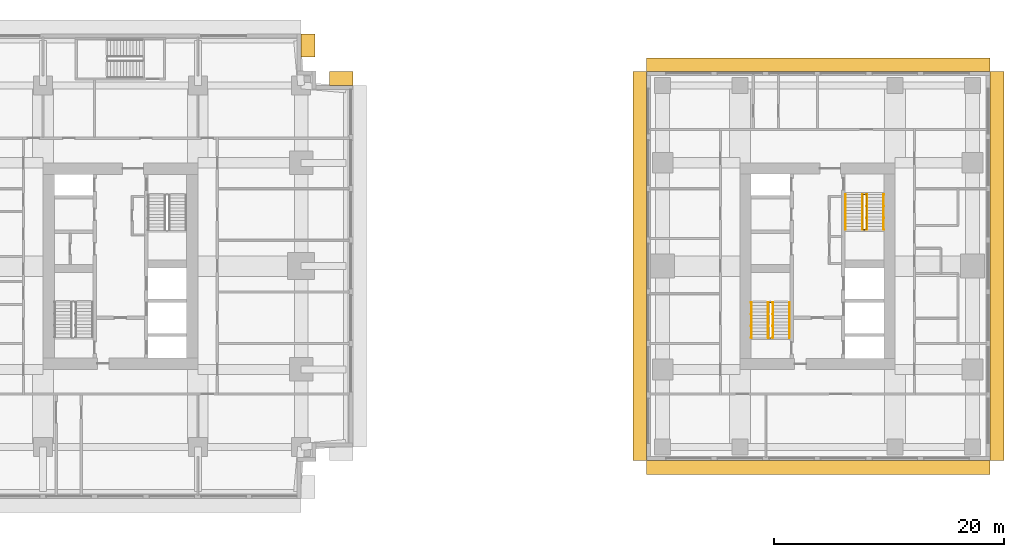
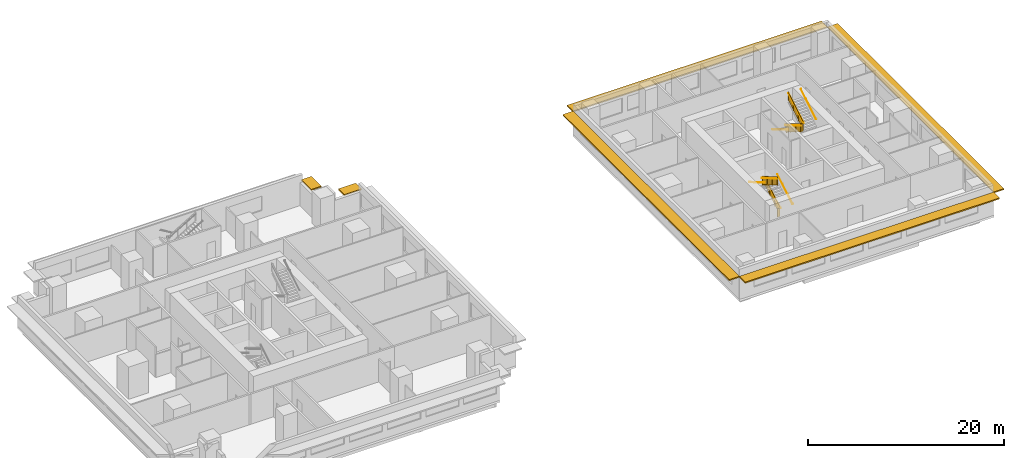
# One storey, part 11 of 11: 10 railings, 6 shading devices.
"""IFC4 building model written with IfcOpenShell, lengths in metres."""

from ifc_helpers import new_model, si_unit, direction, frame, origin, origin_2d, place, context, subcontext, project, spatial, polyline, rectangle, circle, outline, extrude, material, layer, layer_set, type_object, element, save


model = new_model("IFC4")

# Units and contexts
model_context = context("Model", 3, precision=1e-05, world=origin(), true_north=direction((0.0, 1.0)))
body_context = subcontext(model_context, "Body", "Model", "MODEL_VIEW")
ifc_project = project(units=[si_unit("LENGTHUNIT", "METRE"), si_unit("AREAUNIT", "SQUARE_METRE"), si_unit("VOLUMEUNIT", "CUBIC_METRE"), si_unit("PLANEANGLEUNIT", "RADIAN"), si_unit("MASSUNIT", "GRAM", prefix="KILO")], contexts=[model_context])

# Site, building, storey
site_placement = place(None, origin())
site = spatial("IfcSite", under=ifc_project, at=site_placement, CompositionType="ELEMENT")
building_placement = place(site_placement, origin())
building = spatial("IfcBuilding", under=site, at=building_placement, Name="Namib Vertical Campus", CompositionType="ELEMENT")
storey_placement = place(building_placement, frame((0.0, 0.0, 185.0)))
storey = spatial("IfcBuildingStorey", under=building, at=storey_placement, Name="L43", CompositionType="ELEMENT", Elevation=185.0)

# Railings
ifc_material_1 = material(Name="Steel handrail", Category="steel")
railing_type_1 = type_object("IfcRailingType", Name="Handrail 900", PredefinedType="HANDRAIL", material=ifc_material_1)
railing_1_placement = place(storey_placement, frame((78.550048828125, 14.0, 0.166748046875)))
element("IfcRailing", 1, at=railing_1_placement, inside=storey, type_object=railing_type_1, Name="Handrail HR1 B-S1 L43 1", PredefinedType="HANDRAIL", context=body_context, shape_type="SweptSolid", body=[
    extrude(circle(Radius=0.02392578125, at=origin_2d()), frame((0.0, 0.0, 0.8759765625), z_axis=(0.0, 0.859308565015, 0.511457515432), x_axis=(-1.0, 0.0, 0.0)), (0.0, 0.0, 1.0), 3.58447265625),
    extrude(circle(Radius=0.008056640625, at=origin_2d()), frame((0.0, 0.0, 0.8759765625), z_axis=(1.0, 0.0, 0.0), x_axis=(0.0, 0.0, 1.0)), (0.0, 0.0, 1.0), 0.050048828125),
    extrude(circle(Radius=0.008056640625, at=origin_2d()), frame((0.0, 1.026611328125, 1.48681640625), z_axis=(1.0, 0.0, 0.0), x_axis=(0.0, 0.0, 1.0)), (0.0, 0.0, 1.0), 0.050048828125),
    extrude(circle(Radius=0.008056640625, at=origin_2d()), frame((0.0, 2.053466796875, 2.09814453125), z_axis=(1.0, 0.0, 0.0), x_axis=(0.0, 0.0, 1.0)), (0.0, 0.0, 1.0), 0.050048828125),
    extrude(circle(Radius=0.008056640625, at=origin_2d()), frame((0.0, 3.080078125, 2.708984375), z_axis=(1.0, 0.0, 0.0), x_axis=(0.0, 0.0, 1.0)), (0.0, 0.0, 1.0), 0.050048828125),
])
railing_2_placement = place(storey_placement, frame((75.25, 17.080078125, 2.166748046875)))
element("IfcRailing", 2, at=railing_2_placement, inside=storey, type_object=railing_type_1, Name="Handrail HR1 B-S1 L43 2", PredefinedType="HANDRAIL", context=body_context, shape_type="SweptSolid", body=[
    extrude(circle(Radius=0.02392578125, at=origin_2d()), frame((0.0, 0.0, 0.8759765625), z_axis=(0.0, -0.859308565015, 0.511457515432), x_axis=(1.0, 0.0, 0.0)), (0.0, 0.0, 1.0), 3.58447265625),
    extrude(circle(Radius=0.008056640625, at=origin_2d()), frame((0.0, 0.0, 0.8759765625), z_axis=(-1.0, 0.0, 0.0), x_axis=(0.0, 0.0, 1.0)), (0.0, 0.0, 1.0), 0.050048828125),
    extrude(circle(Radius=0.008056640625, at=origin_2d()), frame((0.0, -1.026611328125, 1.48681640625), z_axis=(-1.0, 0.0, 0.0), x_axis=(0.0, 0.0, 1.0)), (0.0, 0.0, 1.0), 0.050048828125),
    extrude(circle(Radius=0.008056640625, at=origin_2d()), frame((0.0, -2.053466796875, 2.09814453125), z_axis=(-1.0, 0.0, 0.0), x_axis=(0.0, 0.0, 1.0)), (0.0, 0.0, 1.0), 0.050048828125),
    extrude(circle(Radius=0.008056640625, at=origin_2d()), frame((0.0, -3.080078125, 2.708984375), z_axis=(-1.0, 0.0, 0.0), x_axis=(0.0, 0.0, 1.0)), (0.0, 0.0, 1.0), 0.050048828125),
])
railing_3_placement = place(storey_placement, frame((77.10009765625, 14.0, 0.166748046875)))
element("IfcRailing", 3, at=railing_3_placement, inside=storey, type_object=railing_type_1, Name="Handrail HR1 B-S1 L43 1 at the well", PredefinedType="HANDRAIL", context=body_context, shape_type="SweptSolid", body=[
    extrude(circle(Radius=0.02392578125, at=origin_2d()), frame((0.0, 0.0, 0.8759765625), z_axis=(0.0, 0.859308565015, 0.511457515432), x_axis=(-1.0, 0.0, 0.0)), (0.0, 0.0, 1.0), 3.58447265625),
    extrude(circle(Radius=0.008056640625, at=origin_2d()), frame((0.0, 0.0, 0.8759765625), z_axis=(-1.0, 0.0, 0.0), x_axis=(0.0, 0.0, 1.0)), (0.0, 0.0, 1.0), 0.0400390625),
    extrude(circle(Radius=0.008056640625, at=origin_2d()), frame((0.0, 1.026611328125, 1.48681640625), z_axis=(-1.0, 0.0, 0.0), x_axis=(0.0, 0.0, 1.0)), (0.0, 0.0, 1.0), 0.0400390625),
    extrude(circle(Radius=0.008056640625, at=origin_2d()), frame((0.0, 2.053466796875, 2.09814453125), z_axis=(-1.0, 0.0, 0.0), x_axis=(0.0, 0.0, 1.0)), (0.0, 0.0, 1.0), 0.0400390625),
    extrude(circle(Radius=0.008056640625, at=origin_2d()), frame((0.0, 3.080078125, 2.708984375), z_axis=(-1.0, 0.0, 0.0), x_axis=(0.0, 0.0, 1.0)), (0.0, 0.0, 1.0), 0.0400390625),
])
railing_4_placement = place(storey_placement, frame((76.699951171875, 17.080078125, 2.166748046875)))
element("IfcRailing", 4, at=railing_4_placement, inside=storey, type_object=railing_type_1, Name="Handrail HR1 B-S1 L43 2 at the well", PredefinedType="HANDRAIL", context=body_context, shape_type="SweptSolid", body=[
    extrude(circle(Radius=0.02392578125, at=origin_2d()), frame((0.0, 0.0, 0.8759765625), z_axis=(0.0, -0.859308565015, 0.511457515432), x_axis=(1.0, 0.0, 0.0)), (0.0, 0.0, 1.0), 3.58447265625),
    extrude(circle(Radius=0.008056640625, at=origin_2d()), frame((0.0, 0.0, 0.8759765625), z_axis=(1.0, 0.0, 0.0), x_axis=(0.0, 0.0, 1.0)), (0.0, 0.0, 1.0), 0.0400390625),
    extrude(circle(Radius=0.008056640625, at=origin_2d()), frame((0.0, -1.026611328125, 1.48681640625), z_axis=(1.0, 0.0, 0.0), x_axis=(0.0, 0.0, 1.0)), (0.0, 0.0, 1.0), 0.0400390625),
    extrude(circle(Radius=0.008056640625, at=origin_2d()), frame((0.0, -2.053466796875, 2.09814453125), z_axis=(1.0, 0.0, 0.0), x_axis=(0.0, 0.0, 1.0)), (0.0, 0.0, 1.0), 0.0400390625),
    extrude(circle(Radius=0.008056640625, at=origin_2d()), frame((0.0, -3.080078125, 2.708984375), z_axis=(1.0, 0.0, 0.0), x_axis=(0.0, 0.0, 1.0)), (0.0, 0.0, 1.0), 0.0400390625),
])
railing_5_placement = place(storey_placement, frame((83.449951171875, 26.5, 0.166748046875)))
element("IfcRailing", 5, at=railing_5_placement, inside=storey, type_object=railing_type_1, Name="Handrail HR1 B-S2 L43 1", PredefinedType="HANDRAIL", context=body_context, shape_type="SweptSolid", body=[
    extrude(circle(Radius=0.02392578125, at=origin_2d()), frame((0.0, 0.0, 0.8759765625), z_axis=(0.0, -0.859308565015, 0.511457515432), x_axis=(1.0, 0.0, 0.0)), (0.0, 0.0, 1.0), 3.58447265625),
    extrude(circle(Radius=0.008056640625, at=origin_2d()), frame((0.0, 0.0, 0.8759765625), z_axis=(-1.0, 0.0, 0.0), x_axis=(0.0, 0.0, 1.0)), (0.0, 0.0, 1.0), 0.050048828125),
    extrude(circle(Radius=0.008056640625, at=origin_2d()), frame((0.0, -1.026611328125, 1.48681640625), z_axis=(-1.0, 0.0, 0.0), x_axis=(0.0, 0.0, 1.0)), (0.0, 0.0, 1.0), 0.050048828125),
    extrude(circle(Radius=0.008056640625, at=origin_2d()), frame((0.0, -2.053466796875, 2.09814453125), z_axis=(-1.0, 0.0, 0.0), x_axis=(0.0, 0.0, 1.0)), (0.0, 0.0, 1.0), 0.050048828125),
    extrude(circle(Radius=0.008056640625, at=origin_2d()), frame((0.0, -3.080078125, 2.708984375), z_axis=(-1.0, 0.0, 0.0), x_axis=(0.0, 0.0, 1.0)), (0.0, 0.0, 1.0), 0.050048828125),
])
railing_6_placement = place(storey_placement, frame((86.75, 23.419921875, 2.166748046875)))
element("IfcRailing", 6, at=railing_6_placement, inside=storey, type_object=railing_type_1, Name="Handrail HR1 B-S2 L43 2", PredefinedType="HANDRAIL", context=body_context, shape_type="SweptSolid", body=[
    extrude(circle(Radius=0.02392578125, at=origin_2d()), frame((0.0, 0.0, 0.8759765625), z_axis=(0.0, 0.859308565015, 0.511457515432), x_axis=(-1.0, 0.0, 0.0)), (0.0, 0.0, 1.0), 3.58447265625),
    extrude(circle(Radius=0.008056640625, at=origin_2d()), frame((0.0, 0.0, 0.8759765625), z_axis=(1.0, 0.0, 0.0), x_axis=(0.0, 0.0, 1.0)), (0.0, 0.0, 1.0), 0.050048828125),
    extrude(circle(Radius=0.008056640625, at=origin_2d()), frame((0.0, 1.026611328125, 1.48681640625), z_axis=(1.0, 0.0, 0.0), x_axis=(0.0, 0.0, 1.0)), (0.0, 0.0, 1.0), 0.050048828125),
    extrude(circle(Radius=0.008056640625, at=origin_2d()), frame((0.0, 2.053466796875, 2.09814453125), z_axis=(1.0, 0.0, 0.0), x_axis=(0.0, 0.0, 1.0)), (0.0, 0.0, 1.0), 0.050048828125),
    extrude(circle(Radius=0.008056640625, at=origin_2d()), frame((0.0, 3.080078125, 2.708984375), z_axis=(1.0, 0.0, 0.0), x_axis=(0.0, 0.0, 1.0)), (0.0, 0.0, 1.0), 0.050048828125),
])
railing_7_placement = place(storey_placement, frame((84.89990234375, 26.5, 0.166748046875)))
element("IfcRailing", 7, at=railing_7_placement, inside=storey, type_object=railing_type_1, Name="Handrail HR1 B-S2 L43 1 at the well", PredefinedType="HANDRAIL", context=body_context, shape_type="SweptSolid", body=[
    extrude(circle(Radius=0.02392578125, at=origin_2d()), frame((0.0, 0.0, 0.8759765625), z_axis=(0.0, -0.859308565015, 0.511457515432), x_axis=(1.0, 0.0, 0.0)), (0.0, 0.0, 1.0), 3.58447265625),
    extrude(circle(Radius=0.008056640625, at=origin_2d()), frame((0.0, 0.0, 0.8759765625), z_axis=(1.0, 0.0, 0.0), x_axis=(0.0, 0.0, 1.0)), (0.0, 0.0, 1.0), 0.0400390625),
    extrude(circle(Radius=0.008056640625, at=origin_2d()), frame((0.0, -1.026611328125, 1.48681640625), z_axis=(1.0, 0.0, 0.0), x_axis=(0.0, 0.0, 1.0)), (0.0, 0.0, 1.0), 0.0400390625),
    extrude(circle(Radius=0.008056640625, at=origin_2d()), frame((0.0, -2.053466796875, 2.09814453125), z_axis=(1.0, 0.0, 0.0), x_axis=(0.0, 0.0, 1.0)), (0.0, 0.0, 1.0), 0.0400390625),
    extrude(circle(Radius=0.008056640625, at=origin_2d()), frame((0.0, -3.080078125, 2.708984375), z_axis=(1.0, 0.0, 0.0), x_axis=(0.0, 0.0, 1.0)), (0.0, 0.0, 1.0), 0.0400390625),
])
railing_8_placement = place(storey_placement, frame((85.300048828125, 23.419921875, 2.166748046875)))
element("IfcRailing", 8, at=railing_8_placement, inside=storey, type_object=railing_type_1, Name="Handrail HR1 B-S2 L43 2 at the well", PredefinedType="HANDRAIL", context=body_context, shape_type="SweptSolid", body=[
    extrude(circle(Radius=0.02392578125, at=origin_2d()), frame((0.0, 0.0, 0.8759765625), z_axis=(0.0, 0.859308565015, 0.511457515432), x_axis=(-1.0, 0.0, 0.0)), (0.0, 0.0, 1.0), 3.58447265625),
    extrude(circle(Radius=0.008056640625, at=origin_2d()), frame((0.0, 0.0, 0.8759765625), z_axis=(-1.0, 0.0, 0.0), x_axis=(0.0, 0.0, 1.0)), (0.0, 0.0, 1.0), 0.0400390625),
    extrude(circle(Radius=0.008056640625, at=origin_2d()), frame((0.0, 1.026611328125, 1.48681640625), z_axis=(-1.0, 0.0, 0.0), x_axis=(0.0, 0.0, 1.0)), (0.0, 0.0, 1.0), 0.0400390625),
    extrude(circle(Radius=0.008056640625, at=origin_2d()), frame((0.0, 2.053466796875, 2.09814453125), z_axis=(-1.0, 0.0, 0.0), x_axis=(0.0, 0.0, 1.0)), (0.0, 0.0, 1.0), 0.0400390625),
    extrude(circle(Radius=0.008056640625, at=origin_2d()), frame((0.0, 3.080078125, 2.708984375), z_axis=(-1.0, 0.0, 0.0), x_axis=(0.0, 0.0, 1.0)), (0.0, 0.0, 1.0), 0.0400390625),
])
ifc_material_2 = material(Name="Steel balustrade", Category="steel")
railing_type_2 = type_object("IfcRailingType", Name="Stair guard 1100", PredefinedType="GUARDRAIL", material=ifc_material_2)
railing_9_placement = place(storey_placement, frame((76.75, 14.0, 0.0)))
element("IfcRailing", 9, at=railing_9_placement, inside=storey, type_object=railing_type_2, Name="Stair guard GR1 B-S1 L43", PredefinedType="GUARDRAIL", context=body_context, shape_type="SweptSolid", body=[
    extrude(circle(Radius=0.02392578125, at=origin_2d()), frame((0.0, 0.0, 1.076171875), z_axis=(1.0, 0.0, 0.0), x_axis=(0.0, 1.0, 0.0)), (0.0, 0.0, 1.0), 0.300048828125),
    extrude(outline(polyline([(0.02099609375, 0.050048828125), (0.279052734375, 0.050048828125), (0.279052734375, 1.052001953125), (0.02099609375, 1.052001953125), (0.02099609375, 0.050048828125)])), frame((0.0, 0.010009765625, 0.0), z_axis=(0.0, -1.0, 0.0), x_axis=(1.0, 0.0, 0.0)), (0.0, 0.0, 1.0), 0.02001953125),
    extrude(circle(Radius=0.02392578125, at=origin_2d()), frame((0.300048828125, 0.0, 1.076171875), z_axis=(0.0, 0.0, 1.0), x_axis=(1.0, 0.0, 0.0)), (0.0, 0.0, 1.0), 0.166748046875),
    extrude(circle(Radius=0.02392578125, at=origin_2d()), frame((0.300048828125, 0.0, 1.24267578125), z_axis=(0.0, 0.859308565015, 0.511457515432), x_axis=(-1.0, 0.0, 0.0)), (0.0, 0.0, 1.0), 3.58447265625),
    extrude(outline(polyline([(0.02099609375, 0.0625), (3.05908203125, 1.870849609375), (3.05908203125, 2.872802734375), (0.02099609375, 1.064453125), (0.02099609375, 0.0625)])), frame((0.2900390625, 0.0, 0.166748046875), z_axis=(1.0, 0.0, 0.0), x_axis=(0.0, 1.0, 0.0)), (0.0, 0.0, 1.0), 0.02001953125),
    extrude(circle(Radius=0.02392578125, at=origin_2d()), frame((0.300048828125, 3.080078125, 3.076171875), z_axis=(-1.0, 0.0, 0.0), x_axis=(0.0, -1.0, 0.0)), (0.0, 0.0, 1.0), 0.300048828125),
    extrude(outline(polyline([(0.02099609375, 0.050048828125), (0.279052734375, 0.050048828125), (0.279052734375, 1.052001953125), (0.02099609375, 1.052001953125), (0.02099609375, 0.050048828125)])), frame((0.300048828125, 3.070068359375, 2.0), z_axis=(0.0, 1.0, 0.0), x_axis=(-1.0, 0.0, 0.0)), (0.0, 0.0, 1.0), 0.02001953125),
    extrude(circle(Radius=0.02392578125, at=origin_2d()), frame((0.0, 3.080078125, 3.076171875), z_axis=(0.0, 0.0, 1.0), x_axis=(1.0, 0.0, 0.0)), (0.0, 0.0, 1.0), 0.166748046875),
    extrude(circle(Radius=0.02392578125, at=origin_2d()), frame((0.0, 3.080078125, 3.24267578125), z_axis=(0.0, -0.859308565015, 0.511457515432), x_axis=(1.0, 0.0, 0.0)), (0.0, 0.0, 1.0), 3.58447265625),
    extrude(outline(polyline([(0.02099609375, 0.0625), (3.05908203125, 1.870849609375), (3.05908203125, 2.872802734375), (0.02099609375, 1.064453125), (0.02099609375, 0.0625)])), frame((0.010009765625, 3.080078125, 2.166748046875), z_axis=(-1.0, 0.0, 0.0), x_axis=(0.0, -1.0, 0.0)), (0.0, 0.0, 1.0), 0.02001953125),
    extrude(circle(Radius=0.02392578125, at=origin_2d()), frame((0.0, 0.0, 5.076171875), z_axis=(0.0, -1.0, 0.0), x_axis=(1.0, 0.0, 0.0)), (0.0, 0.0, 1.0), 0.050048828125),
    extrude(outline(polyline([(0.02099609375, 0.050048828125), (0.029052734375, 0.050048828125), (0.029052734375, 1.052001953125), (0.02099609375, 1.052001953125), (0.02099609375, 0.050048828125)])), frame((0.010009765625, 0.0, 4.0), z_axis=(-1.0, 0.0, 0.0), x_axis=(0.0, -1.0, 0.0)), (0.0, 0.0, 1.0), 0.02001953125),
    extrude(circle(Radius=0.02099609375, at=origin_2d()), origin(), (0.0, 0.0, 1.0), 1.052001953125),
    extrude(circle(Radius=0.02099609375, at=origin_2d()), frame((0.300048828125, 0.0, 0.166748046875)), (0.0, 0.0, 1.0), 1.052001953125),
    extrude(circle(Radius=0.02099609375, at=origin_2d()), frame((0.300048828125, 1.026611328125, 0.666748046875)), (0.0, 0.0, 1.0), 1.1630859375),
    extrude(circle(Radius=0.02099609375, at=origin_2d()), frame((0.300048828125, 2.053466796875, 1.33349609375)), (0.0, 0.0, 1.0), 1.107421875),
    extrude(circle(Radius=0.02099609375, at=origin_2d()), frame((0.300048828125, 3.080078125, 2.0)), (0.0, 0.0, 1.0), 1.052001953125),
    extrude(circle(Radius=0.02099609375, at=origin_2d()), frame((0.0, 3.080078125, 2.166748046875)), (0.0, 0.0, 1.0), 1.052001953125),
    extrude(circle(Radius=0.02099609375, at=origin_2d()), frame((0.0, 2.053466796875, 2.666748046875)), (0.0, 0.0, 1.0), 1.1630859375),
    extrude(circle(Radius=0.02099609375, at=origin_2d()), frame((0.0, 1.026611328125, 3.33349609375)), (0.0, 0.0, 1.0), 1.107421875),
    extrude(circle(Radius=0.02099609375, at=origin_2d()), frame((0.0, 0.0, 4.0)), (0.0, 0.0, 1.0), 1.052001953125),
    extrude(circle(Radius=0.02099609375, at=origin_2d()), frame((0.0, -0.050048828125, 4.0)), (0.0, 0.0, 1.0), 1.052001953125),
])
railing_10_placement = place(storey_placement, frame((85.25, 26.5, 0.0)))
element("IfcRailing", 10, at=railing_10_placement, inside=storey, type_object=railing_type_2, Name="Stair guard GR1 B-S2 L43", PredefinedType="GUARDRAIL", context=body_context, shape_type="SweptSolid", body=[
    extrude(circle(Radius=0.02392578125, at=origin_2d()), frame((0.0, 0.0, 1.076171875), z_axis=(-1.0, 0.0, 0.0), x_axis=(0.0, -1.0, 0.0)), (0.0, 0.0, 1.0), 0.300048828125),
    extrude(outline(polyline([(0.02099609375, 0.050048828125), (0.279052734375, 0.050048828125), (0.279052734375, 1.052001953125), (0.02099609375, 1.052001953125), (0.02099609375, 0.050048828125)])), frame((0.0, -0.010009765625, 0.0), z_axis=(0.0, 1.0, 0.0), x_axis=(-1.0, 0.0, 0.0)), (0.0, 0.0, 1.0), 0.02001953125),
    extrude(circle(Radius=0.02392578125, at=origin_2d()), frame((-0.300048828125, 0.0, 1.076171875), z_axis=(0.0, 0.0, 1.0), x_axis=(1.0, 0.0, 0.0)), (0.0, 0.0, 1.0), 0.166748046875),
    extrude(circle(Radius=0.02392578125, at=origin_2d()), frame((-0.300048828125, 0.0, 1.24267578125), z_axis=(0.0, -0.859308565015, 0.511457515432), x_axis=(1.0, 0.0, 0.0)), (0.0, 0.0, 1.0), 3.58447265625),
    extrude(outline(polyline([(0.02099609375, 0.0625), (3.05908203125, 1.870849609375), (3.05908203125, 2.872802734375), (0.02099609375, 1.064453125), (0.02099609375, 0.0625)])), frame((-0.2900390625, 0.0, 0.166748046875), z_axis=(-1.0, 0.0, 0.0), x_axis=(0.0, -1.0, 0.0)), (0.0, 0.0, 1.0), 0.02001953125),
    extrude(circle(Radius=0.02392578125, at=origin_2d()), frame((-0.300048828125, -3.080078125, 3.076171875), z_axis=(1.0, 0.0, 0.0), x_axis=(0.0, 1.0, 0.0)), (0.0, 0.0, 1.0), 0.300048828125),
    extrude(outline(polyline([(0.02099609375, 0.050048828125), (0.279052734375, 0.050048828125), (0.279052734375, 1.052001953125), (0.02099609375, 1.052001953125), (0.02099609375, 0.050048828125)])), frame((-0.300048828125, -3.070068359375, 2.0), z_axis=(0.0, -1.0, 0.0), x_axis=(1.0, 0.0, 0.0)), (0.0, 0.0, 1.0), 0.02001953125),
    extrude(circle(Radius=0.02392578125, at=origin_2d()), frame((0.0, -3.080078125, 3.076171875), z_axis=(0.0, 0.0, 1.0), x_axis=(1.0, 0.0, 0.0)), (0.0, 0.0, 1.0), 0.166748046875),
    extrude(circle(Radius=0.02392578125, at=origin_2d()), frame((0.0, -3.080078125, 3.24267578125), z_axis=(0.0, 0.859308565015, 0.511457515432), x_axis=(-1.0, 0.0, 0.0)), (0.0, 0.0, 1.0), 3.58447265625),
    extrude(outline(polyline([(0.02099609375, 0.0625), (3.05908203125, 1.870849609375), (3.05908203125, 2.872802734375), (0.02099609375, 1.064453125), (0.02099609375, 0.0625)])), frame((-0.010009765625, -3.080078125, 2.166748046875), z_axis=(1.0, 0.0, 0.0), x_axis=(0.0, 1.0, 0.0)), (0.0, 0.0, 1.0), 0.02001953125),
    extrude(circle(Radius=0.02392578125, at=origin_2d()), frame((0.0, 0.0, 5.076171875), z_axis=(0.0, 1.0, 0.0), x_axis=(-1.0, 0.0, 0.0)), (0.0, 0.0, 1.0), 0.050048828125),
    extrude(outline(polyline([(0.02099609375, 0.050048828125), (0.029052734375, 0.050048828125), (0.029052734375, 1.052001953125), (0.02099609375, 1.052001953125), (0.02099609375, 0.050048828125)])), frame((-0.010009765625, 0.0, 4.0), z_axis=(1.0, 0.0, 0.0), x_axis=(0.0, 1.0, 0.0)), (0.0, 0.0, 1.0), 0.02001953125),
    extrude(circle(Radius=0.02099609375, at=origin_2d()), origin(), (0.0, 0.0, 1.0), 1.052001953125),
    extrude(circle(Radius=0.02099609375, at=origin_2d()), frame((-0.300048828125, 0.0, 0.166748046875)), (0.0, 0.0, 1.0), 1.052001953125),
    extrude(circle(Radius=0.02099609375, at=origin_2d()), frame((-0.300048828125, -1.026611328125, 0.666748046875)), (0.0, 0.0, 1.0), 1.1630859375),
    extrude(circle(Radius=0.02099609375, at=origin_2d()), frame((-0.300048828125, -2.053466796875, 1.33349609375)), (0.0, 0.0, 1.0), 1.107421875),
    extrude(circle(Radius=0.02099609375, at=origin_2d()), frame((-0.300048828125, -3.080078125, 2.0)), (0.0, 0.0, 1.0), 1.052001953125),
    extrude(circle(Radius=0.02099609375, at=origin_2d()), frame((0.0, -3.080078125, 2.166748046875)), (0.0, 0.0, 1.0), 1.052001953125),
    extrude(circle(Radius=0.02099609375, at=origin_2d()), frame((0.0, -2.053466796875, 2.666748046875)), (0.0, 0.0, 1.0), 1.1630859375),
    extrude(circle(Radius=0.02099609375, at=origin_2d()), frame((0.0, -1.026611328125, 3.33349609375)), (0.0, 0.0, 1.0), 1.107421875),
    extrude(circle(Radius=0.02099609375, at=origin_2d()), frame((0.0, 0.0, 4.0)), (0.0, 0.0, 1.0), 1.052001953125),
    extrude(circle(Radius=0.02099609375, at=origin_2d()), frame((0.0, 0.050048828125, 4.0)), (0.0, 0.0, 1.0), 1.052001953125),
])

# Shading devices
ifc_material_3 = material(Name="Concrete C40/50 precast", Category="concrete")
ifc_layer = layer(ifc_material_3, 0.14990234375)
ifc_layer_set = layer_set([ifc_layer], Name="Concrete C40/50 precast")
shading_device_type = type_object("IfcShadingDeviceType", Name="Sunshade hood 1200", PredefinedType="SHUTTER", material=ifc_layer_set)
for number, where, z_axis, x_axis, name in (
    (11, (39.487548828125, 36.60009765625, 2.75), (0.0, 0.0, 1.0), (-1.0, 0.0, 0.0), "Sunshade SH2 L43 7"),
    (12, (36.60009765625, 39.487548828125, 2.75), (0.0, 0.0, 1.0), (0.0, 1.0, 0.0), "Sunshade SH2 L43 10"),
):
    element("IfcShadingDevice", number, at=place(storey_placement, frame(where, z_axis=z_axis, x_axis=x_axis)), inside=storey, type_object=shading_device_type, Name=name, PredefinedType="SHUTTER", context=body_context, shape_type="SweptSolid", body=[
        extrude(rectangle(XDim=2.02490234375, YDim=1.199951171875, at=origin_2d()), origin(), (0.0, 0.0, 1.0), 0.14990234375),
    ])
shading_device_1_placement = place(storey_placement, frame((81.074951171875, 2.699951171875, 2.75), z_axis=(0.0, 0.0, 1.0), x_axis=(1.0, 0.0, 0.0)))
element("IfcShadingDevice", 13, at=shading_device_1_placement, inside=storey, type_object=shading_device_type, Name="Sunshade SH2 L43 1", PredefinedType="SHUTTER", context=body_context, shape_type="SweptSolid", body=[
    extrude(rectangle(XDim=29.949951171875, YDim=1.199951171875, at=origin_2d()), origin(), (0.0, 0.0, 1.0), 0.14990234375),
])
shading_device_2_placement = place(storey_placement, frame((96.64990234375, 20.25, 2.75), z_axis=(0.0, 0.0, 1.0), x_axis=(0.0, 1.0, 0.0)))
element("IfcShadingDevice", 14, at=shading_device_2_placement, inside=storey, type_object=shading_device_type, Name="Sunshade SH2 L43 2", PredefinedType="SHUTTER", context=body_context, shape_type="SweptSolid", body=[
    extrude(rectangle(XDim=33.89990234375, YDim=1.199951171875, at=origin_2d()), origin(), (0.0, 0.0, 1.0), 0.14990234375),
])
shading_device_3_placement = place(storey_placement, frame((81.074951171875, 37.800048828125, 2.75), z_axis=(0.0, 0.0, 1.0), x_axis=(-1.0, 0.0, 0.0)))
element("IfcShadingDevice", 15, at=shading_device_3_placement, inside=storey, type_object=shading_device_type, Name="Sunshade SH2 L43 3", PredefinedType="SHUTTER", context=body_context, shape_type="SweptSolid", body=[
    extrude(rectangle(XDim=29.949951171875, YDim=1.199951171875, at=origin_2d()), origin(), (0.0, 0.0, 1.0), 0.14990234375),
])
shading_device_4_placement = place(storey_placement, frame((65.5, 20.25, 2.75), z_axis=(0.0, 0.0, 1.0), x_axis=(0.0, -1.0, 0.0)))
element("IfcShadingDevice", 16, at=shading_device_4_placement, inside=storey, type_object=shading_device_type, Name="Sunshade SH2 L43 4", PredefinedType="SHUTTER", context=body_context, shape_type="SweptSolid", body=[
    extrude(rectangle(XDim=33.89990234375, YDim=1.199951171875, at=origin_2d()), origin(), (0.0, 0.0, 1.0), 0.14990234375),
])

save(model, "model.ifc")
